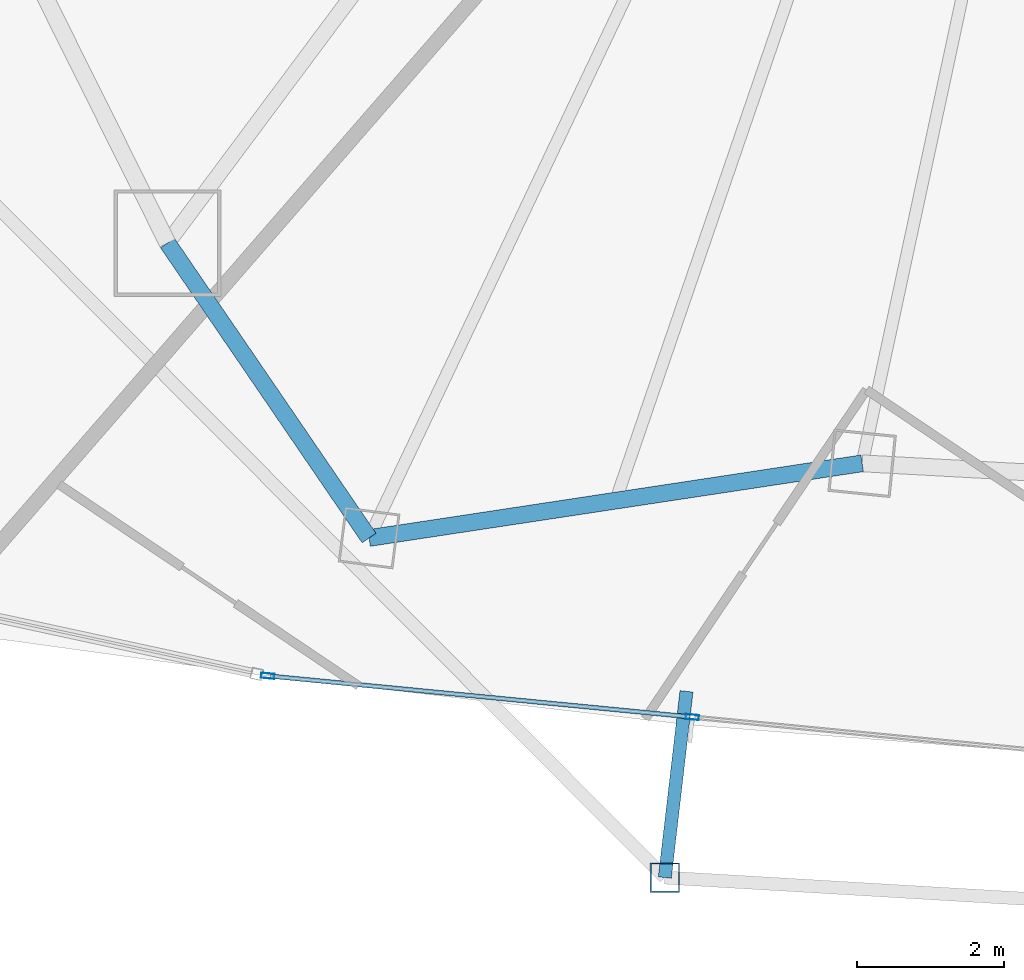
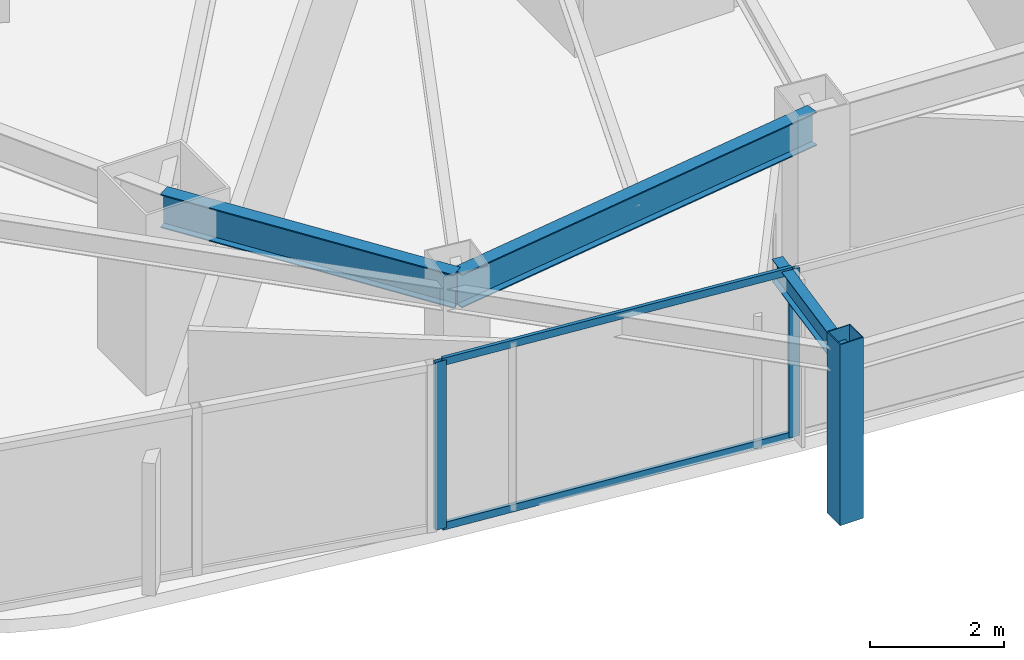
# One storey, part 4 of 30: 5 members, 3 beams, 1 element without a shape of its own.
"""IFC4 building model written with IfcOpenShell, lengths in metres."""

from ifc_helpers import new_model, si_unit, direction, frame, origin, origin_2d, place, context, subcontext, project, spatial, hollow_rectangle, i_section, extrude, material, layer, layer_set, material_profile, profile_set, type_object, element, aggregate, save


model = new_model("IFC4")

# Units and contexts
model_context = context("Model", 3, precision=1e-05, world=origin(), true_north=direction((0.0, 1.0)))
body_context = subcontext(model_context, "Body", "Model", "MODEL_VIEW")
ifc_project = project(units=[si_unit("LENGTHUNIT", "METRE"), si_unit("AREAUNIT", "SQUARE_METRE"), si_unit("VOLUMEUNIT", "CUBIC_METRE"), si_unit("PLANEANGLEUNIT", "RADIAN"), si_unit("MASSUNIT", "GRAM", prefix="KILO")], contexts=[model_context])

# Site, building, storey
site_placement = place(None, origin())
site = spatial("IfcSite", under=ifc_project, at=site_placement, CompositionType="ELEMENT")
building_placement = place(site_placement, origin())
building = spatial("IfcBuilding", under=site, at=building_placement, Name="Orvanel Arch Residences", CompositionType="ELEMENT")
storey_placement = place(building_placement, frame((0.0, 0.0, 139.699951171875)))
storey = spatial("IfcBuildingStorey", under=building, at=storey_placement, Name="L39", CompositionType="ELEMENT", Elevation=139.699951171875)

# Curtain wall, members
ifc_material_1 = material(Name="Bronze-anodised aluminium AA6063-T6", Category="aluminium")
ifc_layer = layer(ifc_material_1, 0.179931640625)
ifc_layer_set = layer_set([ifc_layer], Name="Bronze-anodised aluminium AA6063-T6")
curtain_wall_type = type_object("IfcCurtainWallType", Name="CW3-MID-SYS", PredefinedType="NOTDEFINED", material=ifc_layer_set)
curtain_wall_placement = place(storey_placement, origin())
curtain_wall = element("IfcCurtainWall", 1, at=curtain_wall_placement, inside=storey, type_object=curtain_wall_type, Name="L39 CW3-MID-SYS Unitised Curtain Wall", PredefinedType="NOTDEFINED")
ifc_material_profile_1 = material_profile(ifc_material_1, hollow_rectangle(XDim=0.070068359375, YDim=0.179931640625, WallThickness=0.00439453125, at=origin_2d()), Name="ALU180x70x4.5")
ifc_profile_set_1 = profile_set([ifc_material_profile_1], Name="Bronze-anodised aluminium AA6063-T6")
member_type_1 = type_object("IfcMemberType", Name="MUL-180x70", PredefinedType="MULLION", material=ifc_profile_set_1)
member_1_placement = place(storey_placement, frame((15.561767578125, 4.463623046875, 0.0), z_axis=(0.0, 0.0, 1.0), x_axis=(0.096603363992, 0.99532295767, 0.0)))
member_1 = element("IfcMember", 2, at=member_1_placement, type_object=member_type_1, Name="CW-S3 mullion 1", PredefinedType="MULLION", context=body_context, shape_type="SweptSolid", body=[
    extrude(hollow_rectangle(XDim=0.070068359375, YDim=0.179931640625, WallThickness=0.00439453125, at=origin_2d()), origin(), (0.0, 0.0, 1.0), 3.06005859375),
])
member_2_placement = place(storey_placement, frame((21.337890625, 3.903076171875, 0.0), z_axis=(0.0, 0.0, 1.0), x_axis=(0.096603363992, 0.99532295767, 0.0)))
member_2 = element("IfcMember", 3, at=member_2_placement, type_object=member_type_1, Name="CW-S3 mullion 2", PredefinedType="MULLION", context=body_context, shape_type="SweptSolid", body=[
    extrude(hollow_rectangle(XDim=0.070068359375, YDim=0.179931640625, WallThickness=0.00439453125, at=origin_2d()), origin(), (0.0, 0.0, 1.0), 3.06005859375),
])

# Beams
ifc_material_2 = material(Name="Structural steel AS/NZS 3679.1 Grade 300 (300 MPa)", Category="steel")
ifc_material_profile_2 = material_profile(ifc_material_2, i_section(OverallWidth=0.177978515625, OverallDepth=0.406005859375, WebThickness=0.0078125, FlangeThickness=0.0126953125, at=origin_2d()), Name="410UB59.7")
ifc_profile_set_2 = profile_set([ifc_material_profile_2], Name="Structural steel AS/NZS 3679.1 Grade 300 (300 MPa)")
beam_type_1 = type_object("IfcBeamType", Name="OB-410UB-EXT", PredefinedType="SPANDREL", material=ifc_profile_set_2)
beam_1_placement = place(storey_placement, frame((21.259033203125, 4.2529296875, 2.85693359375), z_axis=(-0.115652434702, -0.993289743402, 0.0), x_axis=(0.993289743402, -0.115652434702, 0.0)))
element("IfcBeam", 4, at=beam_1_placement, inside=storey, type_object=beam_type_1, Name="L39 Outer Frame Radial Tie Beam 05", PredefinedType="SPANDREL", context=body_context, shape_type="SweptSolid", body=[
    extrude(i_section(OverallWidth=0.177978515625, OverallDepth=0.406005859375, WebThickness=0.0078125, FlangeThickness=0.0126953125, at=origin_2d()), origin(), (0.0, 0.0, 1.0), 2.550048828125),
])
ifc_material_profile_3 = material_profile(ifc_material_2, i_section(OverallWidth=0.22900390625, OverallDepth=0.612060546875, WebThickness=0.011962890625, FlangeThickness=0.01953125, at=origin_2d()), Name="610UB125")
ifc_profile_set_3 = profile_set([ifc_material_profile_3], Name="Structural steel AS/NZS 3679.1 Grade 300 (300 MPa)")
beam_type_2 = type_object("IfcBeamType", Name="SP-610UB", PredefinedType="SPANDREL", material=ifc_profile_set_3)
beam_2_placement = place(storey_placement, frame((14.198974609375, 10.35107421875, 2.754150390625), z_axis=(0.564251579852, -0.825602903722, 0.0), x_axis=(0.825602903722, 0.564251579852, 0.0)))
element("IfcBeam", 5, at=beam_2_placement, inside=storey, type_object=beam_type_2, Name="L39 Perimeter Spandrel Beam 03", PredefinedType="SPANDREL", context=body_context, shape_type="SweptSolid", body=[
    extrude(i_section(OverallWidth=0.22900390625, OverallDepth=0.612060546875, WebThickness=0.011962890625, FlangeThickness=0.01953125, at=origin_2d()), origin(), (0.0, 0.0, 1.0), 4.859375),
])
beam_3_placement = place(storey_placement, frame((16.94091796875, 6.339111328125, 2.754150390625), z_axis=(0.988726323014, 0.149733958002, 0.0), x_axis=(-0.149733958002, 0.988726323014, 0.0)))
element("IfcBeam", 6, at=beam_3_placement, inside=storey, type_object=beam_type_2, Name="L39 Perimeter Spandrel Beam 04", PredefinedType="SPANDREL", context=body_context, shape_type="SweptSolid", body=[
    extrude(i_section(OverallWidth=0.22900390625, OverallDepth=0.612060546875, WebThickness=0.011962890625, FlangeThickness=0.01953125, at=origin_2d()), origin(), (0.0, 0.0, 1.0), 6.784423828125),
])

# Member
ifc_material_3 = material(Name="Structural steel AS/NZS 1163 C450L0 (Grade 450)", Category="steel")
ifc_material_profile_4 = material_profile(ifc_material_3, hollow_rectangle(XDim=0.39990234375, YDim=0.39990234375, WallThickness=0.01611328125, at=origin_2d()), Name="SHS400x400x16")
ifc_profile_set_4 = profile_set([ifc_material_profile_4], Name="Structural steel AS/NZS 1163 C450L0 (Grade 450)")
member_type_2 = type_object("IfcMemberType", Name="ST-400SHS-EXT", PredefinedType="STRUT", material=ifc_profile_set_4)
member_3_placement = place(storey_placement, frame((20.964111328125, 1.719970703125, 0.0), z_axis=(0.0, 0.0, 1.0), x_axis=(1.0, 0.0, 0.0)))
element("IfcMember", 7, at=member_3_placement, inside=storey, type_object=member_type_2, Name="L39 Outer Perimeter Frame Post 05", PredefinedType="STRUT", context=body_context, shape_type="SweptSolid", body=[
    extrude(hollow_rectangle(XDim=0.39990234375, YDim=0.39990234375, WallThickness=0.01611328125, at=origin_2d()), origin(), (0.0, 0.0, 1.0), 3.300048828125),
])

ifc_material_profile_5 = material_profile(ifc_material_1, hollow_rectangle(XDim=0.06005859375, YDim=0.135009765625, WallThickness=0.00390625, at=origin_2d()), Name="ALU135x60x4")
ifc_profile_set_5 = profile_set([ifc_material_profile_5], Name="Bronze-anodised aluminium AA6063-T6")
member_type_3 = type_object("IfcMemberType", Name="TRN-135x60", PredefinedType="USERDEFINED", material=ifc_profile_set_5)
member_4_placement = place(storey_placement, frame((15.5966796875, 4.460205078125, 0.030029296875), z_axis=(0.995325485405, -0.096577316715, 0.0), x_axis=(0.096577316715, 0.995325485405, 0.0)))
member_4 = element("IfcMember", 8, at=member_4_placement, type_object=member_type_3, Name="CW-S3 transom 1.1", ObjectType="TRANSOM", PredefinedType="USERDEFINED", context=body_context, shape_type="SweptSolid", body=[
    extrude(hollow_rectangle(XDim=0.06005859375, YDim=0.135009765625, WallThickness=0.00390625, at=origin_2d()), origin(), (0.0, 0.0, 1.0), 5.7333984375),
])

member_5_placement = place(storey_placement, frame((15.5966796875, 4.460205078125, 3.030029296875), z_axis=(0.995325485405, -0.096577316715, 0.0), x_axis=(0.096577316715, 0.995325485405, 0.0)))
member_5 = element("IfcMember", 9, at=member_5_placement, type_object=member_type_3, Name="CW-S3 transom 1.2", ObjectType="TRANSOM", PredefinedType="USERDEFINED", context=body_context, shape_type="SweptSolid", body=[
    extrude(hollow_rectangle(XDim=0.06005859375, YDim=0.135009765625, WallThickness=0.00390625, at=origin_2d()), origin(), (0.0, 0.0, 1.0), 5.7333984375),
])

aggregate(curtain_wall, [member_1, member_2, member_4, member_5])

save(model, "model.ifc")
